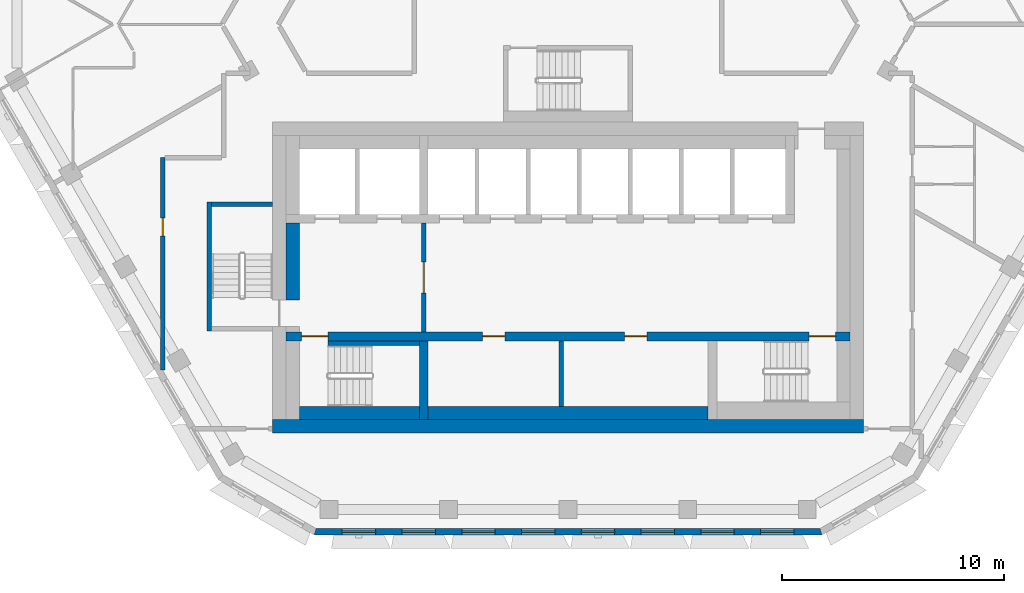
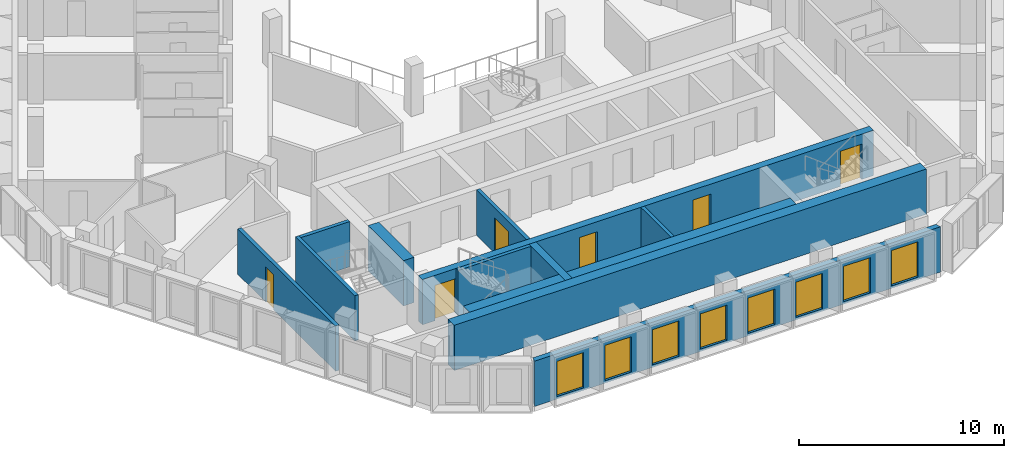
# One storey, part 3 of 18: 13 walls, 8 windows, 6 doors, 14 openings.
"""IFC4 building model written with IfcOpenShell, lengths in metres."""

from ifc_helpers import new_model, si_unit, direction, frame, frame_2d, origin, place, context, subcontext, project, spatial, polyline, rectangle, outline, extrude, material, layer, layer_set, type_object, element, fill, save


model = new_model("IFC4")

# Units and contexts
model_context = context("Model", 3, precision=1e-05, world=origin(), true_north=direction((0.0, 1.0)))
body_context = subcontext(model_context, "Body", "Model", "MODEL_VIEW")
ifc_project = project(units=[si_unit("LENGTHUNIT", "METRE"), si_unit("AREAUNIT", "SQUARE_METRE"), si_unit("VOLUMEUNIT", "CUBIC_METRE"), si_unit("PLANEANGLEUNIT", "RADIAN"), si_unit("MASSUNIT", "GRAM", prefix="KILO")], contexts=[model_context])

# Site, building, storey
site_placement = place(None, origin())
site = spatial("IfcSite", under=ifc_project, at=site_placement, CompositionType="ELEMENT")
building_placement = place(site_placement, origin())
building = spatial("IfcBuilding", under=site, at=building_placement, Name="Beryl Residences", CompositionType="ELEMENT")
storey_placement = place(building_placement, frame((0.0, 0.0, 184.199951171875)))
storey = spatial("IfcBuildingStorey", under=building, at=storey_placement, Name="L56", CompositionType="ELEMENT", Elevation=184.199951171875)

# Wall, openings, windows
ifc_material_1 = material(Name="Composite metal panel with mineral wool insulation")
ifc_layer_1 = layer(ifc_material_1, 0.300048828125)
ifc_layer_set_1 = layer_set([ifc_layer_1], Name="ES1 pale metal composite panel wall 300 mm")
wall_type_1 = type_object("IfcWallType", Name="ES1 pale metal composite panel wall 300 mm", PredefinedType="SOLIDWALL", material=ifc_layer_set_1)
wall_1_placement = place(storey_placement, frame((-11.430908203125, -23.449951171875, 0.0), z_axis=(0.0, 0.0, 1.0), x_axis=(1.0, 0.0, 0.0)))
wall_1 = element("IfcWall", 1, at=wall_1_placement, inside=storey, type_object=wall_type_1, Name="ES1 external wall L56 S", PredefinedType="SOLIDWALL", context=body_context, shape_type="SweptSolid", body=[
    extrude(outline(polyline([(0.0, -0.14990234375), (22.86181640625, -0.14990234375), (22.781494140625, 0.14990234375), (0.080322265625, 0.14990234375), (0.0, -0.14990234375)])), origin(), (0.0, 0.0, 1.0), 2.699951171875),
])
opening_1_placement = place(wall_1_placement, frame((1.260009765625, 0.0, 0.14990234375)))
opening_1 = element("IfcOpeningElement", 2, at=opening_1_placement, cuts=wall_1, Name="Opening W1", PredefinedType="OPENING", context=body_context, shape_type="SweptSolid", body=[
    extrude(rectangle(XDim=1.5, YDim=2.10009765625, at=frame_2d((0.75, 1.050048828125))), frame((0.0, 0.159912109375, 0.0), z_axis=(0.0, -1.0, 0.0), x_axis=(1.0, 0.0, 0.0)), (0.0, 0.0, 1.0), 0.320068359375),
])
opening_2_placement = place(wall_1_placement, frame((3.951904296875, 0.0, 0.14990234375)))
opening_2 = element("IfcOpeningElement", 3, at=opening_2_placement, cuts=wall_1, Name="Opening W1", PredefinedType="OPENING", context=body_context, shape_type="SweptSolid", body=[
    extrude(rectangle(XDim=1.5, YDim=2.10009765625, at=frame_2d((0.75, 1.050048828125))), frame((0.0, 0.159912109375, 0.0), z_axis=(0.0, -1.0, 0.0), x_axis=(1.0, 0.0, 0.0)), (0.0, 0.0, 1.0), 0.320068359375),
])
opening_3_placement = place(wall_1_placement, frame((6.64404296875, 0.0, 0.14990234375)))
opening_3 = element("IfcOpeningElement", 4, at=opening_3_placement, cuts=wall_1, Name="Opening W1", PredefinedType="OPENING", context=body_context, shape_type="SweptSolid", body=[
    extrude(rectangle(XDim=1.5, YDim=2.10009765625, at=frame_2d((0.75, 1.050048828125))), frame((0.0, 0.159912109375, 0.0), z_axis=(0.0, -1.0, 0.0), x_axis=(1.0, 0.0, 0.0)), (0.0, 0.0, 1.0), 0.320068359375),
])
opening_4_placement = place(wall_1_placement, frame((9.3359375, 0.0, 0.14990234375)))
opening_4 = element("IfcOpeningElement", 5, at=opening_4_placement, cuts=wall_1, Name="Opening W1", PredefinedType="OPENING", context=body_context, shape_type="SweptSolid", body=[
    extrude(rectangle(XDim=1.5, YDim=2.10009765625, at=frame_2d((0.75, 1.050048828125))), frame((0.0, 0.159912109375, 0.0), z_axis=(0.0, -1.0, 0.0), x_axis=(1.0, 0.0, 0.0)), (0.0, 0.0, 1.0), 0.320068359375),
])
opening_5_placement = place(wall_1_placement, frame((12.028076171875, 0.0, 0.14990234375)))
opening_5 = element("IfcOpeningElement", 6, at=opening_5_placement, cuts=wall_1, Name="Opening W1", PredefinedType="OPENING", context=body_context, shape_type="SweptSolid", body=[
    extrude(rectangle(XDim=1.5, YDim=2.10009765625, at=frame_2d((0.75, 1.050048828125))), frame((0.0, 0.159912109375, 0.0), z_axis=(0.0, -1.0, 0.0), x_axis=(1.0, 0.0, 0.0)), (0.0, 0.0, 1.0), 0.320068359375),
])
opening_6_placement = place(wall_1_placement, frame((14.719970703125, 0.0, 0.14990234375)))
opening_6 = element("IfcOpeningElement", 7, at=opening_6_placement, cuts=wall_1, Name="Opening W1", PredefinedType="OPENING", context=body_context, shape_type="SweptSolid", body=[
    extrude(rectangle(XDim=1.5, YDim=2.10009765625, at=frame_2d((0.75, 1.050048828125))), frame((0.0, 0.159912109375, 0.0), z_axis=(0.0, -1.0, 0.0), x_axis=(1.0, 0.0, 0.0)), (0.0, 0.0, 1.0), 0.320068359375),
])
opening_7_placement = place(wall_1_placement, frame((17.412109375, 0.0, 0.14990234375)))
opening_7 = element("IfcOpeningElement", 8, at=opening_7_placement, cuts=wall_1, Name="Opening W1", PredefinedType="OPENING", context=body_context, shape_type="SweptSolid", body=[
    extrude(rectangle(XDim=1.5, YDim=2.10009765625, at=frame_2d((0.75, 1.050048828125))), frame((0.0, 0.159912109375, 0.0), z_axis=(0.0, -1.0, 0.0), x_axis=(1.0, 0.0, 0.0)), (0.0, 0.0, 1.0), 0.320068359375),
])
opening_8_placement = place(wall_1_placement, frame((20.10400390625, 0.0, 0.14990234375)))
opening_8 = element("IfcOpeningElement", 9, at=opening_8_placement, cuts=wall_1, Name="Opening W1", PredefinedType="OPENING", context=body_context, shape_type="SweptSolid", body=[
    extrude(rectangle(XDim=1.5, YDim=2.10009765625, at=frame_2d((0.75, 1.050048828125))), frame((0.0, 0.159912109375, 0.0), z_axis=(0.0, -1.0, 0.0), x_axis=(1.0, 0.0, 0.0)), (0.0, 0.0, 1.0), 0.320068359375),
])
ifc_material_2 = material(Name="Aluminium and clear glass", Category="aluminium")
window_type = type_object("IfcWindowType", Name="W1 cell window 1500 x 2100 mm", PartitioningType="SINGLE_PANEL", PredefinedType="WINDOW", material=ifc_material_2)
window_1_placement = place(opening_1_placement, origin())
window_1 = element("IfcWindow", 10, at=window_1_placement, inside=storey, type_object=window_type, Name="W1 window L56 S 1", OverallHeight=2.10009765625, OverallWidth=1.5, PartitioningType="SINGLE_PANEL", PredefinedType="WINDOW", context=body_context, shape_type="SweptSolid", body=[
    extrude(rectangle(XDim=1.5, YDim=2.10009765625, at=frame_2d((0.75, 1.050048828125))), frame((0.0, 0.030029296875, 0.0), z_axis=(0.0, -1.0, 0.0), x_axis=(1.0, 0.0, 0.0)), (0.0, 0.0, 1.0), 0.06005859375),
])
fill(opening_1, window_1)
window_2_placement = place(opening_2_placement, origin())
window_2 = element("IfcWindow", 11, at=window_2_placement, inside=storey, type_object=window_type, Name="W1 window L56 S 2", OverallHeight=2.10009765625, OverallWidth=1.5, PartitioningType="SINGLE_PANEL", PredefinedType="WINDOW", context=body_context, shape_type="SweptSolid", body=[
    extrude(rectangle(XDim=1.5, YDim=2.10009765625, at=frame_2d((0.75, 1.050048828125))), frame((0.0, 0.030029296875, 0.0), z_axis=(0.0, -1.0, 0.0), x_axis=(1.0, 0.0, 0.0)), (0.0, 0.0, 1.0), 0.06005859375),
])
fill(opening_2, window_2)
window_3_placement = place(opening_3_placement, origin())
window_3 = element("IfcWindow", 12, at=window_3_placement, inside=storey, type_object=window_type, Name="W1 window L56 S 3", OverallHeight=2.10009765625, OverallWidth=1.5, PartitioningType="SINGLE_PANEL", PredefinedType="WINDOW", context=body_context, shape_type="SweptSolid", body=[
    extrude(rectangle(XDim=1.5, YDim=2.10009765625, at=frame_2d((0.75, 1.050048828125))), frame((0.0, 0.030029296875, 0.0), z_axis=(0.0, -1.0, 0.0), x_axis=(1.0, 0.0, 0.0)), (0.0, 0.0, 1.0), 0.06005859375),
])
fill(opening_3, window_3)
window_4_placement = place(opening_4_placement, origin())
window_4 = element("IfcWindow", 13, at=window_4_placement, inside=storey, type_object=window_type, Name="W1 window L56 S 4", OverallHeight=2.10009765625, OverallWidth=1.5, PartitioningType="SINGLE_PANEL", PredefinedType="WINDOW", context=body_context, shape_type="SweptSolid", body=[
    extrude(rectangle(XDim=1.5, YDim=2.10009765625, at=frame_2d((0.75, 1.050048828125))), frame((0.0, 0.030029296875, 0.0), z_axis=(0.0, -1.0, 0.0), x_axis=(1.0, 0.0, 0.0)), (0.0, 0.0, 1.0), 0.06005859375),
])
fill(opening_4, window_4)
window_5_placement = place(opening_5_placement, origin())
window_5 = element("IfcWindow", 14, at=window_5_placement, inside=storey, type_object=window_type, Name="W1 window L56 S 5", OverallHeight=2.10009765625, OverallWidth=1.5, PartitioningType="SINGLE_PANEL", PredefinedType="WINDOW", context=body_context, shape_type="SweptSolid", body=[
    extrude(rectangle(XDim=1.5, YDim=2.10009765625, at=frame_2d((0.75, 1.050048828125))), frame((0.0, 0.030029296875, 0.0), z_axis=(0.0, -1.0, 0.0), x_axis=(1.0, 0.0, 0.0)), (0.0, 0.0, 1.0), 0.06005859375),
])
fill(opening_5, window_5)
window_6_placement = place(opening_6_placement, origin())
window_6 = element("IfcWindow", 15, at=window_6_placement, inside=storey, type_object=window_type, Name="W1 window L56 S 6", OverallHeight=2.10009765625, OverallWidth=1.5, PartitioningType="SINGLE_PANEL", PredefinedType="WINDOW", context=body_context, shape_type="SweptSolid", body=[
    extrude(rectangle(XDim=1.5, YDim=2.10009765625, at=frame_2d((0.75, 1.050048828125))), frame((0.0, 0.030029296875, 0.0), z_axis=(0.0, -1.0, 0.0), x_axis=(1.0, 0.0, 0.0)), (0.0, 0.0, 1.0), 0.06005859375),
])
fill(opening_6, window_6)
window_7_placement = place(opening_7_placement, origin())
window_7 = element("IfcWindow", 16, at=window_7_placement, inside=storey, type_object=window_type, Name="W1 window L56 S 7", OverallHeight=2.10009765625, OverallWidth=1.5, PartitioningType="SINGLE_PANEL", PredefinedType="WINDOW", context=body_context, shape_type="SweptSolid", body=[
    extrude(rectangle(XDim=1.5, YDim=2.10009765625, at=frame_2d((0.75, 1.050048828125))), frame((0.0, 0.030029296875, 0.0), z_axis=(0.0, -1.0, 0.0), x_axis=(1.0, 0.0, 0.0)), (0.0, 0.0, 1.0), 0.06005859375),
])
fill(opening_7, window_7)
window_8_placement = place(opening_8_placement, origin())
window_8 = element("IfcWindow", 17, at=window_8_placement, inside=storey, type_object=window_type, Name="W1 window L56 S 8", OverallHeight=2.10009765625, OverallWidth=1.5, PartitioningType="SINGLE_PANEL", PredefinedType="WINDOW", context=body_context, shape_type="SweptSolid", body=[
    extrude(rectangle(XDim=1.5, YDim=2.10009765625, at=frame_2d((0.75, 1.050048828125))), frame((0.0, 0.030029296875, 0.0), z_axis=(0.0, -1.0, 0.0), x_axis=(1.0, 0.0, 0.0)), (0.0, 0.0, 1.0), 0.06005859375),
])
fill(opening_8, window_8)

# Wall, opening, door
ifc_material_3 = material(Name="Concrete masonry", Category="masonry")
ifc_layer_2 = layer(ifc_material_3, 0.199951171875)
ifc_layer_set_2 = layer_set([ifc_layer_2], Name="PT13 lobby wall 200 mm")
wall_type_2 = type_object("IfcWallType", Name="PT13 lobby wall 200 mm", PredefinedType="PARTITIONING", material=ifc_layer_set_2)
wall_2_placement = place(storey_placement, frame((-6.5, -14.449951171875, 0.0), z_axis=(0.0, 0.0, 1.0), x_axis=(0.0, 1.0, 0.0)))
wall_2 = element("IfcWall", 18, at=wall_2_placement, inside=storey, type_object=wall_type_2, Name="Lobby wall 12", PredefinedType="PARTITIONING", context=body_context, shape_type="SweptSolid", body=[
    extrude(rectangle(XDim=4.89990234375, YDim=0.199951171875, at=frame_2d((2.449951171875, 0.0))), origin(), (0.0, 0.0, 1.0), 2.699951171875),
])
opening_9_placement = place(wall_2_placement, frame((3.14990234375, 0.0, 0.0), z_axis=(0.0, 0.0, 1.0), x_axis=(-1.0, 0.0, 0.0)))
opening_9 = element("IfcOpeningElement", 19, at=opening_9_placement, cuts=wall_2, Name="Opening FD-FFL", PredefinedType="OPENING", context=body_context, shape_type="SweptSolid", body=[
    extrude(rectangle(XDim=1.39990234375, YDim=2.10009765625, at=frame_2d((0.699951171875, 1.050048828125))), frame((0.0, 0.10986328125, 0.0), z_axis=(0.0, -1.0, 0.0), x_axis=(1.0, 0.0, 0.0)), (0.0, 0.0, 1.0), 0.219970703125),
])
ifc_material_4 = material(Name="Steel door leaf in steel frame", Category="steel")
door_type_1 = type_object("IfcDoorType", Name="D5 lobby door 1400 x 2100 mm", OperationType="DOUBLE_DOOR_SINGLE_SWING", PredefinedType="DOOR", material=ifc_material_4)
door_1_placement = place(opening_9_placement, origin())
door_1 = element("IfcDoor", 20, at=door_1_placement, inside=storey, type_object=door_type_1, Name="Door FD-FFL L56 001", OperationType="DOUBLE_DOOR_SINGLE_SWING", OverallHeight=2.10009765625, OverallWidth=1.39990234375, PredefinedType="DOOR", context=body_context, shape_type="SweptSolid", body=[
    extrude(rectangle(XDim=1.39990234375, YDim=2.10009765625, at=frame_2d((0.699951171875, 1.050048828125))), frame((0.0, 0.02490234375, 0.0), z_axis=(0.0, -1.0, 0.0), x_axis=(1.0, 0.0, 0.0)), (0.0, 0.0, 1.0), 0.050048828125),
])
fill(opening_9, door_1)

# Wall
ifc_material_5 = material(Name="Concrete masonry", Category="masonry")
ifc_layer_3 = layer(ifc_material_5, 0.60009765625)
ifc_layer_set_3 = layer_set([ifc_layer_3], Name="PT13-600 lobby wall 600 mm")
wall_type_3 = type_object("IfcWallType", Name="PT13-600 lobby wall 600 mm", PredefinedType="PARTITIONING", material=ifc_layer_set_3)
wall_3_placement = place(storey_placement, frame((-12.39990234375, -13.0, 0.0), z_axis=(0.0, 0.0, 1.0), x_axis=(0.0, 1.0, 0.0)))
element("IfcWall", 21, at=wall_3_placement, inside=storey, type_object=wall_type_3, Name="Lobby wall 06", PredefinedType="PARTITIONING", context=body_context, shape_type="SweptSolid", body=[
    extrude(rectangle(XDim=3.449951171875, YDim=0.60009765625, at=frame_2d((1.72509765625, 0.0))), origin(), (0.0, 0.0, 1.0), 2.699951171875),
])

# Wall, opening, door
ifc_material_6 = material(Name="Double stud gypsum board wall")
ifc_layer_4 = layer(ifc_material_6, 0.199951171875)
ifc_layer_set_4 = layer_set([ifc_layer_4], Name="PT4 corridor wall 200 mm double stud")
wall_type_4 = type_object("IfcWallType", Name="PT4 corridor wall 200 mm double stud", PredefinedType="PARTITIONING", material=ifc_layer_set_4)
wall_4_placement = place(storey_placement, frame((-18.25, -16.152099609375, 0.0), z_axis=(0.0, 0.0, 1.0), x_axis=(0.0, 1.0, 0.0)))
wall_4 = element("IfcWall", 22, at=wall_4_placement, inside=storey, type_object=wall_type_4, Name="Wall PT4 L56 025", PredefinedType="PARTITIONING", context=body_context, shape_type="SweptSolid", body=[
    extrude(rectangle(XDim=9.551025390625, YDim=0.199951171875, at=frame_2d((4.775390625, 0.0))), origin(), (0.0, 0.0, 1.0), 2.699951171875),
])
opening_10_placement = place(wall_4_placement, frame((6.02587890625, 0.0, 0.0)))
opening_10 = element("IfcOpeningElement", 23, at=opening_10_placement, cuts=wall_4, Name="Opening D1532", PredefinedType="OPENING", context=body_context, shape_type="SweptSolid", body=[
    extrude(rectangle(XDim=0.800048828125, YDim=2.10009765625, at=frame_2d((0.39990234375, 1.050048828125))), frame((0.0, 0.10986328125, 0.0), z_axis=(0.0, -1.0, 0.0), x_axis=(1.0, 0.0, 0.0)), (0.0, 0.0, 1.0), 0.219970703125),
])
ifc_material_7 = material(Name="Timber door leaf", Category="wood")
door_type_2 = type_object("IfcDoorType", Name="D3 bathroom door 800 x 2100 mm", OperationType="SINGLE_SWING_LEFT", PredefinedType="DOOR", material=ifc_material_7)
door_2_placement = place(opening_10_placement, origin())
door_2 = element("IfcDoor", 24, at=door_2_placement, inside=storey, type_object=door_type_2, Name="Door D1532 L56 001", OperationType="SINGLE_SWING_RIGHT", OverallHeight=2.10009765625, OverallWidth=0.800048828125, PredefinedType="DOOR", context=body_context, shape_type="SweptSolid", body=[
    extrude(rectangle(XDim=0.800048828125, YDim=2.10009765625, at=frame_2d((0.39990234375, 1.050048828125))), frame((0.0, 0.02490234375, 0.0), z_axis=(0.0, -1.0, 0.0), x_axis=(1.0, 0.0, 0.0)), (0.0, 0.0, 1.0), 0.050048828125),
])
fill(opening_10, door_2)

# Walls
ifc_material_8 = material(Name="Concrete C40/50", Category="concrete")
ifc_layer_5 = layer(ifc_material_8, 0.199951171875)
ifc_layer_set_5 = layer_set([ifc_layer_5], Name="PT5 stair enclosure wall 200 mm reinforced concrete C40/50")
wall_type_5 = type_object("IfcWallType", Name="PT5 stair enclosure wall 200 mm reinforced concrete C40/50", PredefinedType="SOLIDWALL", material=ifc_layer_set_5)
wall_5_placement = place(storey_placement, frame((-16.14990234375, -14.39990234375, 0.0), z_axis=(0.0, 0.0, 1.0), x_axis=(0.0, 1.0, 0.0)))
element("IfcWall", 25, at=wall_5_placement, inside=storey, type_object=wall_type_5, Name="Stair wall 01", PredefinedType="SOLIDWALL", context=body_context, shape_type="SweptSolid", body=[
    extrude(rectangle(XDim=5.7998046875, YDim=0.199951171875, at=frame_2d((2.89990234375, 0.0))), origin(), (0.0, 0.0, 1.0), 2.699951171875),
])
wall_6_placement = place(storey_placement, frame((-16.050048828125, -8.699951171875, 0.0), z_axis=(0.0, 0.0, 1.0), x_axis=(1.0, 0.0, 0.0)))
element("IfcWall", 26, at=wall_6_placement, inside=storey, type_object=wall_type_5, Name="Stair wall 03", PredefinedType="SOLIDWALL", context=body_context, shape_type="SweptSolid", body=[
    extrude(rectangle(XDim=2.75, YDim=0.199951171875, at=frame_2d((1.375, 0.0))), origin(), (0.0, 0.0, 1.0), 2.699951171875),
])
wall_7_placement = place(storey_placement, frame((-10.800048828125, -14.949951171875, 0.0), z_axis=(0.0, 0.0, 1.0), x_axis=(1.0, 0.0, 0.0)))
element("IfcWall", 27, at=wall_7_placement, inside=storey, type_object=wall_type_5, Name="Stair wall 10", PredefinedType="SOLIDWALL", context=body_context, shape_type="SweptSolid", body=[
    extrude(rectangle(XDim=4.10009765625, YDim=0.199951171875, at=frame_2d((2.050048828125, 0.0))), origin(), (0.0, 0.0, 1.0), 2.699951171875),
])
ifc_material_9 = material(Name="Concrete C40/50", Category="concrete")
ifc_layer_6 = layer(ifc_material_9, 0.60009765625)
ifc_layer_set_6 = layer_set([ifc_layer_6], Name="PT5-600 stair enclosure wall 600 mm")
wall_type_6 = type_object("IfcWallType", Name="PT5-600 stair enclosure wall 600 mm", PredefinedType="SOLIDWALL", material=ifc_layer_set_6)
wall_8_placement = place(storey_placement, frame((-12.10009765625, -18.10009765625, 0.0), z_axis=(0.0, 0.0, 1.0), x_axis=(1.0, 0.0, 0.0)))
element("IfcWall", 28, at=wall_8_placement, inside=storey, type_object=wall_type_6, Name="Stair wall 08", PredefinedType="SOLIDWALL", context=body_context, shape_type="SweptSolid", body=[
    extrude(rectangle(XDim=5.400146484375, YDim=0.60009765625, at=frame_2d((2.7001953125, 0.0))), origin(), (0.0, 0.0, 1.0), 2.699951171875),
])
ifc_material_10 = material(Name="Concrete masonry", Category="masonry")
ifc_layer_7 = layer(ifc_material_10, 0.199951171875)
ifc_layer_set_7 = layer_set([ifc_layer_7], Name="PT8-200 service room wall 200 mm")
wall_type_7 = type_object("IfcWallType", Name="PT8-200 service room wall 200 mm", PredefinedType="PARTITIONING", material=ifc_layer_set_7)
wall_9_placement = place(storey_placement, frame((-0.300048828125, -17.800048828125, 0.0), z_axis=(0.0, 0.0, 1.0), x_axis=(0.0, 1.0, 0.0)))
element("IfcWall", 29, at=wall_9_placement, inside=storey, type_object=wall_type_7, Name="Core room wall 17", PredefinedType="PARTITIONING", context=body_context, shape_type="SweptSolid", body=[
    extrude(rectangle(XDim=2.949951171875, YDim=0.199951171875, at=frame_2d((1.47509765625, 0.0))), origin(), (0.0, 0.0, 1.0), 2.699951171875),
])
ifc_material_11 = material(Name="Concrete masonry", Category="masonry")
ifc_layer_8 = layer(ifc_material_11, 0.60009765625)
ifc_layer_set_8 = layer_set([ifc_layer_8], Name="PT8-600 service room wall 600 mm")
wall_type_8 = type_object("IfcWallType", Name="PT8-600 service room wall 600 mm", PredefinedType="PARTITIONING", material=ifc_layer_set_8)
wall_10_placement = place(storey_placement, frame((-6.300048828125, -18.10009765625, 0.0), z_axis=(0.0, 0.0, 1.0), x_axis=(1.0, 0.0, 0.0)))
element("IfcWall", 30, at=wall_10_placement, inside=storey, type_object=wall_type_8, Name="Core room wall 13", PredefinedType="PARTITIONING", context=body_context, shape_type="SweptSolid", body=[
    extrude(rectangle(XDim=12.60009765625, YDim=0.60009765625, at=frame_2d((6.300048828125, 0.0))), origin(), (0.0, 0.0, 1.0), 2.699951171875),
])
ifc_material_12 = material(Name="Concrete C50/60", Category="concrete")
ifc_layer_9 = layer(ifc_material_12, 0.60009765625)
ifc_layer_set_9 = layer_set([ifc_layer_9], Name="SW4 core outer wall 600 mm C50/60")
wall_type_9 = type_object("IfcWallType", Name="SW4 core outer wall 600 mm C50/60", PredefinedType="SHEAR", material=ifc_layer_set_9)
wall_11_placement = place(storey_placement, frame((-13.300048828125, -18.699951171875, 0.0), z_axis=(0.0, 0.0, 1.0), x_axis=(1.0, 0.0, 0.0)))
element("IfcWall", 31, at=wall_11_placement, inside=storey, type_object=wall_type_9, Name="Core wall S L56", PredefinedType="SHEAR", context=body_context, shape_type="SweptSolid", body=[
    extrude(rectangle(XDim=26.60009765625, YDim=0.60009765625, at=frame_2d((13.300048828125, 0.0))), origin(), (0.0, 0.0, 1.0), 2.699951171875),
])

# Wall, openings, doors
ifc_material_13 = material(Name="Concrete C50/60", Category="concrete")
ifc_layer_10 = layer(ifc_material_13, 0.39990234375)
ifc_layer_set_10 = layer_set([ifc_layer_10], Name="SW9 core internal wall 400 mm C50/60")
wall_type_10 = type_object("IfcWallType", Name="SW9 core internal wall 400 mm C50/60", PredefinedType="SHEAR", material=ifc_layer_set_10)
wall_12_placement = place(storey_placement, frame((-12.699951171875, -14.64990234375, 0.0), z_axis=(0.0, 0.0, 1.0), x_axis=(1.0, 0.0, 0.0)))
wall_12 = element("IfcWall", 32, at=wall_12_placement, inside=storey, type_object=wall_type_10, Name="Core wall SP1 L56", PredefinedType="SHEAR", context=body_context, shape_type="SweptSolid", body=[
    extrude(rectangle(XDim=25.39990234375, YDim=0.39990234375, at=frame_2d((12.699951171875, 0.0))), origin(), (0.0, 0.0, 1.0), 2.699951171875),
])
opening_11_placement = place(wall_12_placement, frame((1.89990234375, 0.0, 0.0), z_axis=(0.0, 0.0, 1.0), x_axis=(-1.0, 0.0, 0.0)))
opening_11 = element("IfcOpeningElement", 33, at=opening_11_placement, cuts=wall_12, Name="Opening SD-1", PredefinedType="OPENING", context=body_context, shape_type="SweptSolid", body=[
    extrude(rectangle(XDim=1.199951171875, YDim=2.10009765625, at=frame_2d((0.60009765625, 1.050048828125))), frame((0.0, 0.2099609375, 0.0), z_axis=(0.0, -1.0, 0.0), x_axis=(1.0, 0.0, 0.0)), (0.0, 0.0, 1.0), 0.419921875),
])
opening_12_placement = place(wall_12_placement, frame((24.75, 0.0, 0.0), z_axis=(0.0, 0.0, 1.0), x_axis=(-1.0, 0.0, 0.0)))
opening_12 = element("IfcOpeningElement", 34, at=opening_12_placement, cuts=wall_12, Name="Opening SD-3", PredefinedType="OPENING", context=body_context, shape_type="SweptSolid", body=[
    extrude(rectangle(XDim=1.199951171875, YDim=2.10009765625, at=frame_2d((0.60009765625, 1.050048828125))), frame((0.0, 0.2099609375, 0.0), z_axis=(0.0, -1.0, 0.0), x_axis=(1.0, 0.0, 0.0)), (0.0, 0.0, 1.0), 0.419921875),
])
opening_13_placement = place(wall_12_placement, frame((9.85009765625, 0.0, 0.0), z_axis=(0.0, 0.0, 1.0), x_axis=(-1.0, 0.0, 0.0)))
opening_13 = element("IfcOpeningElement", 35, at=opening_13_placement, cuts=wall_12, Name="Opening CD-D-S1", PredefinedType="OPENING", context=body_context, shape_type="SweptSolid", body=[
    extrude(rectangle(XDim=1.0, YDim=2.10009765625, at=frame_2d((0.5, 1.050048828125))), frame((0.0, 0.2099609375, 0.0), z_axis=(0.0, -1.0, 0.0), x_axis=(1.0, 0.0, 0.0)), (0.0, 0.0, 1.0), 0.419921875),
])
opening_14_placement = place(wall_12_placement, frame((16.25, 0.0, 0.0), z_axis=(0.0, 0.0, 1.0), x_axis=(-1.0, 0.0, 0.0)))
opening_14 = element("IfcOpeningElement", 36, at=opening_14_placement, cuts=wall_12, Name="Opening CD-D-S2", PredefinedType="OPENING", context=body_context, shape_type="SweptSolid", body=[
    extrude(rectangle(XDim=1.0, YDim=2.10009765625, at=frame_2d((0.5, 1.050048828125))), frame((0.0, 0.2099609375, 0.0), z_axis=(0.0, -1.0, 0.0), x_axis=(1.0, 0.0, 0.0)), (0.0, 0.0, 1.0), 0.419921875),
])
ifc_material_14 = material(Name="Steel door leaf in steel frame", Category="steel")
door_type_3 = type_object("IfcDoorType", Name="D18 service room door 1000 x 2100 mm", OperationType="SINGLE_SWING_LEFT", PredefinedType="DOOR", material=ifc_material_14)
door_3_placement = place(opening_13_placement, origin())
door_3 = element("IfcDoor", 37, at=door_3_placement, inside=storey, type_object=door_type_3, Name="Door CD-D-S1 L56 001", OperationType="SINGLE_SWING_RIGHT", OverallHeight=2.10009765625, OverallWidth=1.0, PredefinedType="DOOR", context=body_context, shape_type="SweptSolid", body=[
    extrude(rectangle(XDim=1.0, YDim=2.10009765625, at=frame_2d((0.5, 1.050048828125))), frame((0.0, 0.02490234375, 0.0), z_axis=(0.0, -1.0, 0.0), x_axis=(1.0, 0.0, 0.0)), (0.0, 0.0, 1.0), 0.050048828125),
])
fill(opening_13, door_3)
door_4_placement = place(opening_14_placement, origin())
door_4 = element("IfcDoor", 38, at=door_4_placement, inside=storey, type_object=door_type_3, Name="Door CD-D-S2 L56 001", OperationType="SINGLE_SWING_LEFT", OverallHeight=2.10009765625, OverallWidth=1.0, PredefinedType="DOOR", context=body_context, shape_type="SweptSolid", body=[
    extrude(rectangle(XDim=1.0, YDim=2.10009765625, at=frame_2d((0.5, 1.050048828125))), frame((0.0, 0.02490234375, 0.0), z_axis=(0.0, -1.0, 0.0), x_axis=(1.0, 0.0, 0.0)), (0.0, 0.0, 1.0), 0.050048828125),
])
fill(opening_14, door_4)
ifc_material_15 = material(Name="Steel door leaf in steel frame", Category="steel")
door_type_4 = type_object("IfcDoorType", Name="D4 stair door 1200 x 2100 mm", OperationType="SINGLE_SWING_LEFT", PredefinedType="DOOR", material=ifc_material_15)
door_5_placement = place(opening_11_placement, origin())
door_5 = element("IfcDoor", 39, at=door_5_placement, inside=storey, type_object=door_type_4, Name="Door SD-1 L56 001", OperationType="SINGLE_SWING_RIGHT", OverallHeight=2.10009765625, OverallWidth=1.199951171875, PredefinedType="DOOR", context=body_context, shape_type="SweptSolid", body=[
    extrude(rectangle(XDim=1.199951171875, YDim=2.10009765625, at=frame_2d((0.60009765625, 1.050048828125))), frame((0.0, 0.02490234375, 0.0), z_axis=(0.0, -1.0, 0.0), x_axis=(1.0, 0.0, 0.0)), (0.0, 0.0, 1.0), 0.050048828125),
])
fill(opening_11, door_5)
door_6_placement = place(opening_12_placement, origin())
door_6 = element("IfcDoor", 40, at=door_6_placement, inside=storey, type_object=door_type_4, Name="Door SD-3 L56 001", OperationType="SINGLE_SWING_RIGHT", OverallHeight=2.10009765625, OverallWidth=1.199951171875, PredefinedType="DOOR", context=body_context, shape_type="SweptSolid", body=[
    extrude(rectangle(XDim=1.199951171875, YDim=2.10009765625, at=frame_2d((0.60009765625, 1.050048828125))), frame((0.0, 0.02490234375, 0.0), z_axis=(0.0, -1.0, 0.0), x_axis=(1.0, 0.0, 0.0)), (0.0, 0.0, 1.0), 0.050048828125),
])
fill(opening_12, door_6)

# Wall
wall_13_placement = place(storey_placement, frame((-6.5, -18.39990234375, 0.0), z_axis=(0.0, 0.0, 1.0), x_axis=(0.0, 1.0, 0.0)))
element("IfcWall", 41, at=wall_13_placement, inside=storey, type_object=wall_type_10, Name="Core wall XS1 L56", PredefinedType="SHEAR", context=body_context, shape_type="SweptSolid", body=[
    extrude(rectangle(XDim=3.5498046875, YDim=0.39990234375, at=frame_2d((1.77490234375, 0.0))), origin(), (0.0, 0.0, 1.0), 2.699951171875),
])

save(model, "model.ifc")
